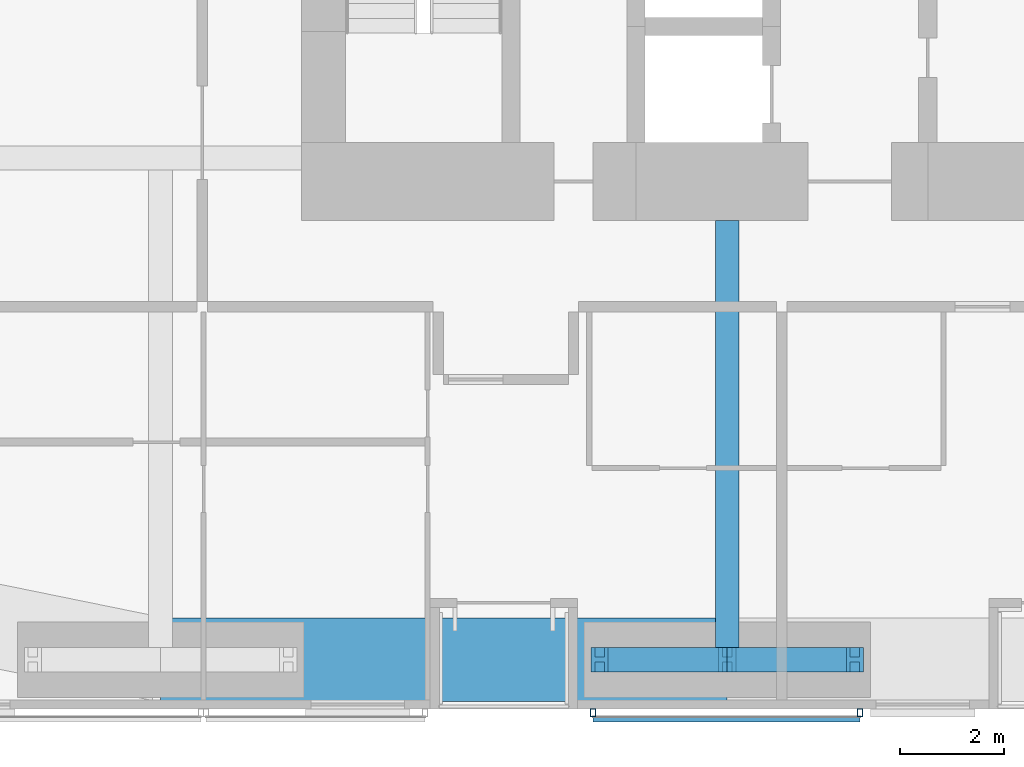
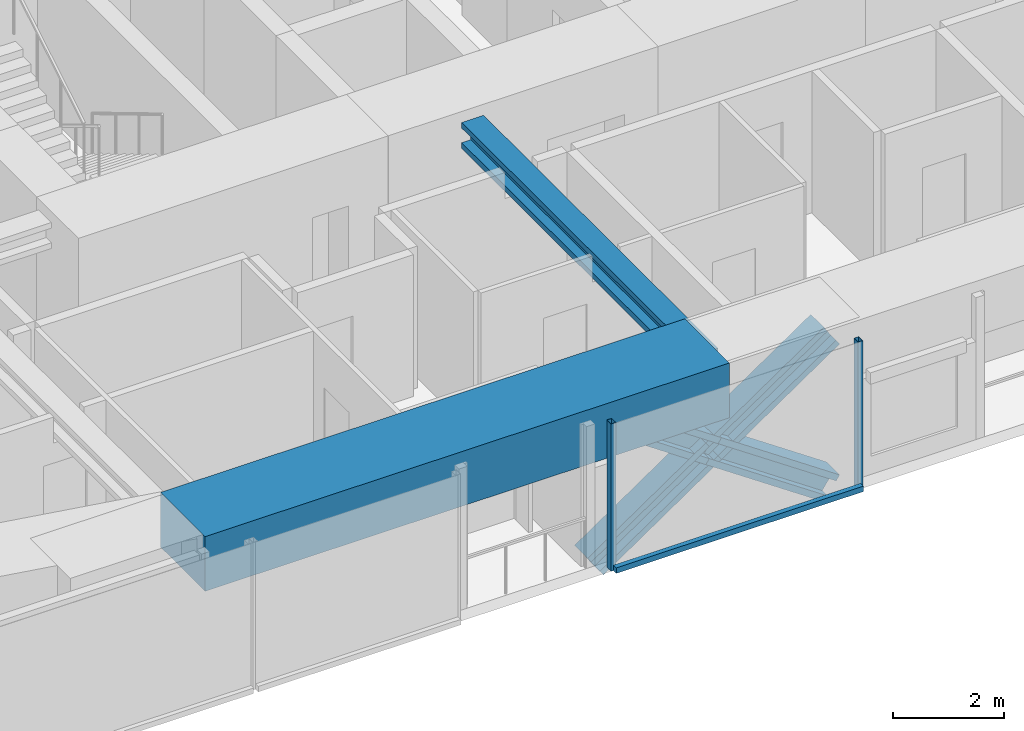
# One storey, part 5 of 25: 7 members, 2 beams, 1 element without a shape of its own.
"""IFC4 building model written with IfcOpenShell, lengths in metres."""

from ifc_helpers import new_model, si_unit, direction, frame, origin, origin_2d, place, context, subcontext, project, spatial, rectangle, hollow_rectangle, i_section, extrude, material, material_profile, profile_set, type_object, element, aggregate, save


model = new_model("IFC4")

# Units and contexts
model_context = context("Model", 3, precision=1e-05, world=origin(), true_north=direction((0.0, 1.0)))
body_context = subcontext(model_context, "Body", "Model", "MODEL_VIEW")
ifc_project = project(units=[si_unit("LENGTHUNIT", "METRE"), si_unit("AREAUNIT", "SQUARE_METRE"), si_unit("VOLUMEUNIT", "CUBIC_METRE"), si_unit("PLANEANGLEUNIT", "RADIAN"), si_unit("MASSUNIT", "GRAM", prefix="KILO")], contexts=[model_context])

# Site, building, storey
site_placement = place(None, origin())
site = spatial("IfcSite", under=ifc_project, at=site_placement, CompositionType="ELEMENT")
building_placement = place(site_placement, origin())
building = spatial("IfcBuilding", under=site, at=building_placement, Name="Jalousie Tower", CompositionType="ELEMENT")
storey_placement = place(building_placement, frame((0.0, 0.0, 98.14990234375)))
storey = spatial("IfcBuildingStorey", under=building, at=storey_placement, Name="L26", CompositionType="ELEMENT", Elevation=98.14990234375)

# Beam
ifc_material_1 = material(Name="Steel ASTM A992 Grade 50", Category="steel")
ifc_material_profile_1 = material_profile(ifc_material_1, i_section(OverallWidth=0.45458984375, OverallDepth=0.569091796875, WebThickness=0.077880859375, FlangeThickness=0.124755859375, at=origin_2d()), Name="W14X730")
ifc_profile_set_1 = profile_set([ifc_material_profile_1], Name="Steel ASTM A992 Grade 50")
beam_type_1 = type_object("IfcBeamType", Name="LEAN COLLECTOR W14X730", PredefinedType="BEAM", material=ifc_profile_set_1)
beam_1_placement = place(storey_placement, frame((27.75, 0.949951171875, 2.82568359375), z_axis=(0.0, 1.0, 0.0), x_axis=(-1.0, 0.0, 0.0)))
element("IfcBeam", 1, at=beam_1_placement, inside=storey, type_object=beam_type_1, Name="Lean collector under L27", PredefinedType="BEAM", context=body_context, shape_type="SweptSolid", body=[
    extrude(i_section(OverallWidth=0.45458984375, OverallDepth=0.569091796875, WebThickness=0.077880859375, FlangeThickness=0.124755859375, at=origin_2d()), origin(), (0.0, 0.0, 1.0), 8.425048828125),
])

# Members
ifc_material_2 = material(Name="Steel ASTM A992 Grade 50", Category="steel")
ifc_material_profile_2 = material_profile(ifc_material_2, i_section(OverallWidth=0.472412109375, OverallDepth=0.5791015625, WebThickness=0.094970703125, FlangeThickness=0.1298828125, at=origin_2d()), Name="W14X808")
ifc_profile_set_2 = profile_set([ifc_material_profile_2], Name="Steel ASTM A992 Grade 50")
member_type_1 = type_object("IfcMemberType", Name="PERIMETER BRACE W14X808", PredefinedType="BRACE", material=ifc_profile_set_2)
for number, where, z_axis, x_axis, name in (
    (2, (25.300048828125, 0.949951171875, -0.599853515625), (0.825500916831, 0.0, 0.564400776321), (0.0, 1.0, 0.0), "Perimeter brace 03 L26 part 1"),
    (3, (27.75, 0.949951171875, 1.0751953125), (0.825539243753, 0.0, 0.564344714713), (0.0, 1.0, 0.0), "Perimeter brace 03 L26 part 2"),
    (4, (30.199951171875, 0.949951171875, -0.599853515625), (-0.825500916831, 0.0, 0.564400776321), (0.0, -1.0, 0.0), "Perimeter brace 03 L26 part 3"),
    (5, (27.75, 0.949951171875, 1.0751953125), (-0.825539243753, 0.0, 0.564344714713), (0.0, -1.0, 0.0), "Perimeter brace 03 L26 part 4"),
):
    element("IfcMember", number, at=place(storey_placement, frame(where, z_axis=z_axis, x_axis=x_axis)), inside=storey, type_object=member_type_1, Name=name, PredefinedType="BRACE", context=body_context, shape_type="SweptSolid", body=[
        extrude(i_section(OverallWidth=0.472412109375, OverallDepth=0.5791015625, WebThickness=0.094970703125, FlangeThickness=0.1298828125, at=origin_2d()), origin(), (0.0, 0.0, 1.0), 2.9677734375),
    ])

# Beam
ifc_material_3 = material(Name="Concrete f'c 40 MPa", Category="concrete")
ifc_material_profile_3 = material_profile(ifc_material_3, rectangle(XDim=1.60009765625, YDim=1.199951171875, at=origin_2d()), Name="RC 1600x1200")
ifc_profile_set_3 = profile_set([ifc_material_profile_3], Name="Concrete f'c 40 MPa")
beam_type_2 = type_object("IfcBeamType", Name="RC BEAM 1600x1200", PredefinedType="BEAM", material=ifc_profile_set_3)
beam_2_placement = place(storey_placement, frame((16.875, 0.949951171875, 2.75), z_axis=(1.0, 0.0, 0.0), x_axis=(0.0, 1.0, 0.0)))
element("IfcBeam", 6, at=beam_2_placement, inside=storey, type_object=beam_type_2, Name="Edge band beam 02-03 under L27", PredefinedType="BEAM", context=body_context, shape_type="SweptSolid", body=[
    extrude(rectangle(XDim=1.60009765625, YDim=1.199951171875, at=origin_2d()), origin(), (0.0, 0.0, 1.0), 10.875),
])

# Curtain wall, members
ifc_material_4 = material(Name="Perforated aluminium sheet", Category="aluminium")
curtain_wall_type = type_object("IfcCurtainWallType", Name="SOLAR SCREEN SS-1", PredefinedType="USERDEFINED", material=ifc_material_4)
curtain_wall_placement = place(storey_placement, origin())
curtain_wall = element("IfcCurtainWall", 7, at=curtain_wall_placement, inside=storey, type_object=curtain_wall_type, Name="Solar screen L26", ObjectType="SOLAR SCREEN SS-1", PredefinedType="USERDEFINED")
ifc_material_5 = material(Name="Steel ASTM A500 Grade C", Category="steel")
ifc_material_profile_4 = material_profile(ifc_material_5, hollow_rectangle(XDim=0.1015625, YDim=0.15234375, WallThickness=0.00634765625, at=origin_2d()), Name="HSS6X4X1/4")
ifc_profile_set_4 = profile_set([ifc_material_profile_4], Name="Steel ASTM A500 Grade C")
member_type_2 = type_object("IfcMemberType", Name="SOLAR SCREEN SS-1 MULLION", PredefinedType="MULLION", material=ifc_profile_set_4)
member_1_placement = place(storey_placement, frame((25.175048828125, -0.0712890625, -0.119873046875), z_axis=(0.0, 0.0, 1.0), x_axis=(1.0, 0.0, 0.0)))
member_1 = element("IfcMember", 8, at=member_1_placement, type_object=member_type_2, Name="SS1 post 1", PredefinedType="MULLION", context=body_context, shape_type="SweptSolid", body=[
    extrude(hollow_rectangle(XDim=0.1015625, YDim=0.15234375, WallThickness=0.00634765625, at=origin_2d()), origin(), (0.0, 0.0, 1.0), 3.22998046875),
])
member_2_placement = place(storey_placement, frame((30.300048828125, -0.0712890625, -0.119873046875), z_axis=(0.0, 0.0, 1.0), x_axis=(1.0, 0.0, 0.0)))
member_2 = element("IfcMember", 9, at=member_2_placement, type_object=member_type_2, Name="SS1 post 2", PredefinedType="MULLION", context=body_context, shape_type="SweptSolid", body=[
    extrude(hollow_rectangle(XDim=0.1015625, YDim=0.15234375, WallThickness=0.00634765625, at=origin_2d()), origin(), (0.0, 0.0, 1.0), 3.22998046875),
])
ifc_material_6 = material(Name="Extruded aluminium screen rail", Category="aluminium")
ifc_material_profile_5 = material_profile(ifc_material_6, rectangle(XDim=0.1015625, YDim=0.1201171875, at=origin_2d()), Name="RAIL 102x120")
ifc_profile_set_5 = profile_set([ifc_material_profile_5], Name="Extruded aluminium screen rail")
member_type_3 = type_object("IfcMemberType", Name="SOLAR SCREEN SS-1 TRANSOM", PredefinedType="USERDEFINED", material=ifc_profile_set_5)
member_3_placement = place(storey_placement, frame((25.175048828125, -0.1982421875, -0.059814453125), z_axis=(1.0, 0.0, 0.0), x_axis=(0.0, 1.0, 0.0)))
member_3 = element("IfcMember", 10, at=member_3_placement, type_object=member_type_3, Name="SS1 rail", ObjectType="TRANSOM", PredefinedType="USERDEFINED", context=body_context, shape_type="SweptSolid", body=[
    extrude(rectangle(XDim=0.1015625, YDim=0.1201171875, at=origin_2d()), origin(), (0.0, 0.0, 1.0), 5.125),
])
aggregate(curtain_wall, [member_1, member_2, member_3])

save(model, "model.ifc")
